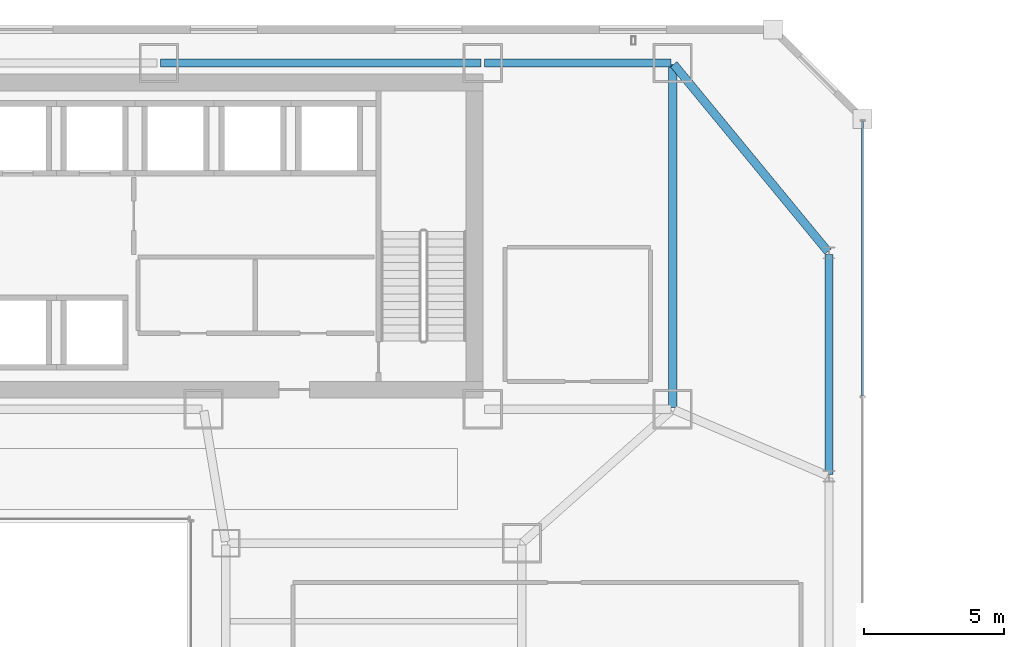
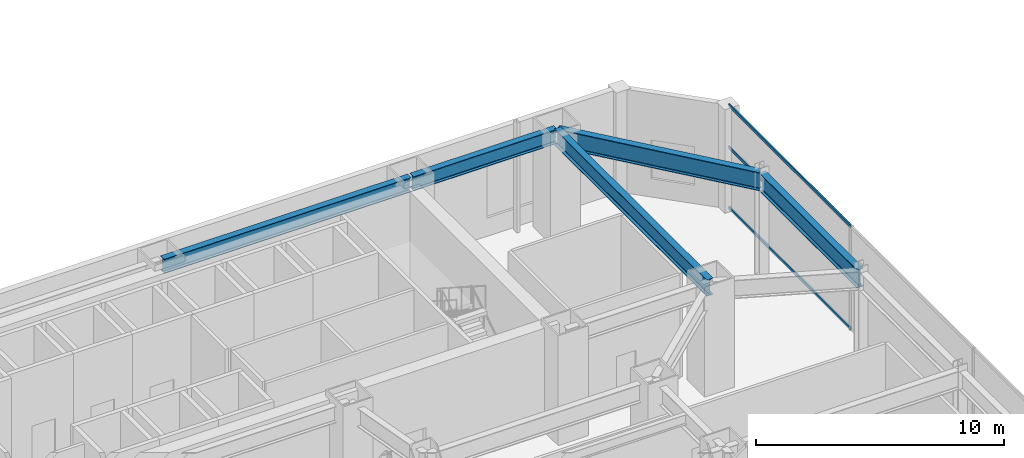
# One storey, part 30 of 52: 5 beams, 3 members, 1 element without a shape of its own.
"""IFC4 building model written with IfcOpenShell, lengths in metres."""

from ifc_helpers import new_model, si_unit, direction, frame, origin, origin_2d, place, context, subcontext, project, spatial, hollow_rectangle, i_section, extrude, material, material_profile, profile_set, type_object, element, aggregate, save


model = new_model("IFC4")

# Units and contexts
model_context = context("Model", 3, precision=1e-05, world=origin(), true_north=direction((0.0, 1.0)))
body_context = subcontext(model_context, "Body", "Model", "MODEL_VIEW")
ifc_project = project(units=[si_unit("LENGTHUNIT", "METRE"), si_unit("AREAUNIT", "SQUARE_METRE"), si_unit("VOLUMEUNIT", "CUBIC_METRE"), si_unit("PLANEANGLEUNIT", "RADIAN"), si_unit("MASSUNIT", "GRAM", prefix="KILO")], contexts=[model_context])

# Site, building, storey
site_placement = place(None, origin())
site = spatial("IfcSite", under=ifc_project, at=site_placement, CompositionType="ELEMENT")
building_placement = place(site_placement, origin())
building = spatial("IfcBuilding", under=site, at=building_placement, Name="Saevonmaru Cultural Tower", CompositionType="ELEMENT")
storey_placement = place(building_placement, frame((0.0, 0.0, 11.39990234375)))
storey = spatial("IfcBuildingStorey", under=building, at=storey_placement, Name="L02", CompositionType="ELEMENT", Elevation=11.39990234375)

# Beams
ifc_material_1 = material(Name="Steel SM420", Category="steel")
ifc_material_profile_1 = material_profile(ifc_material_1, i_section(OverallWidth=0.300048828125, OverallDepth=0.800048828125, WebThickness=0.013916015625, FlangeThickness=0.02587890625, FilletRadius=0.028076171875, at=origin_2d()), Name="H-800x300x14x26")
ifc_profile_set_1 = profile_set([ifc_material_profile_1], Name="Steel SM420")
beam_type_1 = type_object("IfcBeamType", Name="BM-G-H800", PredefinedType="BEAM", material=ifc_profile_set_1)
beam_1_placement = place(storey_placement, frame((53.199951171875, 54.739990234375, 4.7001953125), z_axis=(0.0, -1.0, 0.0), x_axis=(1.0, 0.0, 0.0)))
element("IfcBeam", 1, at=beam_1_placement, inside=storey, type_object=beam_type_1, Name="L02 Spine Transverse Girder E", PredefinedType="BEAM", context=body_context, shape_type="SweptSolid", body=[
    extrude(i_section(OverallWidth=0.300048828125, OverallDepth=0.800048828125, WebThickness=0.013916015625, FlangeThickness=0.02587890625, FilletRadius=0.028076171875, at=origin_2d()), origin(), (0.0, 0.0, 1.0), 12.280029296875),
])
ifc_material_profile_2 = material_profile(ifc_material_1, i_section(OverallWidth=0.300048828125, OverallDepth=0.89990234375, WebThickness=0.01611328125, FlangeThickness=0.028076171875, FilletRadius=0.028076171875, at=origin_2d()), Name="H-900x300x16x28")
ifc_profile_set_2 = profile_set([ifc_material_profile_2], Name="Steel SM420")
beam_type_2 = type_object("IfcBeamType", Name="BM-G-H900", PredefinedType="BEAM", material=ifc_profile_set_2)
beam_2_placement = place(storey_placement, frame((58.800048828125, 40.06005859375, 4.650146484375), z_axis=(0.0, 1.0, 0.0), x_axis=(-1.0, 0.0, 0.0)))
element("IfcBeam", 2, at=beam_2_placement, inside=storey, type_object=beam_type_2, Name="BM-POD-PE-5-L02", PredefinedType="BEAM", context=body_context, shape_type="SweptSolid", body=[
    extrude(i_section(OverallWidth=0.300048828125, OverallDepth=0.89990234375, WebThickness=0.01611328125, FlangeThickness=0.028076171875, FilletRadius=0.028076171875, at=origin_2d()), origin(), (0.0, 0.0, 1.0), 7.8798828125),
])
beam_3_placement = place(storey_placement, frame((53.238037109375, 54.753662109375, 4.650146484375), z_axis=(0.635726949651, -0.771914014309, 0.0), x_axis=(0.771914014309, 0.635726949651, 0.0)))
element("IfcBeam", 3, at=beam_3_placement, inside=storey, type_object=beam_type_2, Name="BM-POD-TE2-L02", PredefinedType="BEAM", context=body_context, shape_type="SweptSolid", body=[
    extrude(i_section(OverallWidth=0.300048828125, OverallDepth=0.89990234375, WebThickness=0.01611328125, FlangeThickness=0.028076171875, FilletRadius=0.028076171875, at=origin_2d()), origin(), (0.0, 0.0, 1.0), 8.689208984375),
])
ifc_material_2 = material(Name="Steel SM355", Category="steel")
ifc_material_profile_3 = material_profile(ifc_material_2, i_section(OverallWidth=0.300048828125, OverallDepth=0.699951171875, WebThickness=0.012939453125, FlangeThickness=0.02392578125, FilletRadius=0.02587890625, at=origin_2d()), Name="H-700x300x13x24")
ifc_profile_set_3 = profile_set([ifc_material_profile_3], Name="Steel SM355")
beam_type_3 = type_object("IfcBeamType", Name="BM-SP-H700", PredefinedType="SPANDREL", material=ifc_profile_set_3)
beam_4_placement = place(storey_placement, frame((34.860107421875, 54.800048828125, 4.75), z_axis=(1.0, 0.0, 0.0), x_axis=(0.0, 1.0, 0.0)))
element("IfcBeam", 4, at=beam_4_placement, inside=storey, type_object=beam_type_3, Name="L02 North Spine Girder 4", PredefinedType="SPANDREL", context=body_context, shape_type="SweptSolid", body=[
    extrude(i_section(OverallWidth=0.300048828125, OverallDepth=0.699951171875, WebThickness=0.012939453125, FlangeThickness=0.02392578125, FilletRadius=0.02587890625, at=origin_2d()), origin(), (0.0, 0.0, 1.0), 11.47998046875),
])
beam_5_placement = place(storey_placement, frame((46.4599609375, 54.800048828125, 4.75), z_axis=(1.0, 0.0, 0.0), x_axis=(0.0, 1.0, 0.0)))
element("IfcBeam", 5, at=beam_5_placement, inside=storey, type_object=beam_type_3, Name="L02 North Spine Girder 5", PredefinedType="SPANDREL", context=body_context, shape_type="SweptSolid", body=[
    extrude(i_section(OverallWidth=0.300048828125, OverallDepth=0.699951171875, WebThickness=0.012939453125, FlangeThickness=0.02392578125, FilletRadius=0.02587890625, at=origin_2d()), origin(), (0.0, 0.0, 1.0), 6.679931640625),
])

# Curtain wall, members
ifc_material_3 = material(Name="Satin Bronze Anodised Aluminium", Category="aluminium")
curtain_wall_type = type_object("IfcCurtainWallType", Name="CW-POD-GLZ", PredefinedType="NOTDEFINED", material=ifc_material_3)
curtain_wall_placement = place(storey_placement, origin())
curtain_wall = element("IfcCurtainWall", 6, at=curtain_wall_placement, inside=storey, type_object=curtain_wall_type, Name="L02 Saevon Plaza Curtain Wall", PredefinedType="NOTDEFINED")
ifc_material_profile_4 = material_profile(ifc_material_3, hollow_rectangle(XDim=0.06494140625, YDim=0.14990234375, WallThickness=0.00390625, at=origin_2d()), Name="ALU-TRAN-150x65x4")
ifc_profile_set_4 = profile_set([ifc_material_profile_4], Name="Satin Bronze Anodised Aluminium")
member_type = type_object("IfcMemberType", Name="TR-CW-150x65", PredefinedType="USERDEFINED", material=ifc_profile_set_4)
member_1_placement = place(storey_placement, frame((60.0, 42.87646484375, 0.03271484375), z_axis=(0.0, 1.0, 0.0), x_axis=(-1.0, 0.0, 0.0)))
member_1 = element("IfcMember", 7, at=member_1_placement, type_object=member_type, Name="CW-POD-E-L02 transom 5.1", ObjectType="TRANSOM", PredefinedType="USERDEFINED", context=body_context, shape_type="SweptSolid", body=[
    extrude(hollow_rectangle(XDim=0.06494140625, YDim=0.14990234375, WallThickness=0.00390625, at=origin_2d()), origin(), (0.0, 0.0, 1.0), 9.8310546875),
])
member_2_placement = place(storey_placement, frame((60.0, 42.87646484375, 3.0), z_axis=(0.0, 1.0, 0.0), x_axis=(-1.0, 0.0, 0.0)))
member_2 = element("IfcMember", 8, at=member_2_placement, type_object=member_type, Name="CW-POD-E-L02 transom 5.2", ObjectType="TRANSOM", PredefinedType="USERDEFINED", context=body_context, shape_type="SweptSolid", body=[
    extrude(hollow_rectangle(XDim=0.06494140625, YDim=0.14990234375, WallThickness=0.00390625, at=origin_2d()), origin(), (0.0, 0.0, 1.0), 9.8310546875),
])
member_3_placement = place(storey_placement, frame((60.0, 42.87646484375, 5.067626953125), z_axis=(0.0, 1.0, 0.0), x_axis=(-1.0, 0.0, 0.0)))
member_3 = element("IfcMember", 9, at=member_3_placement, type_object=member_type, Name="CW-POD-E-L02 transom 5.3", ObjectType="TRANSOM", PredefinedType="USERDEFINED", context=body_context, shape_type="SweptSolid", body=[
    extrude(hollow_rectangle(XDim=0.06494140625, YDim=0.14990234375, WallThickness=0.00390625, at=origin_2d()), origin(), (0.0, 0.0, 1.0), 9.8310546875),
])
aggregate(curtain_wall, [member_1, member_2, member_3])

save(model, "model.ifc")
